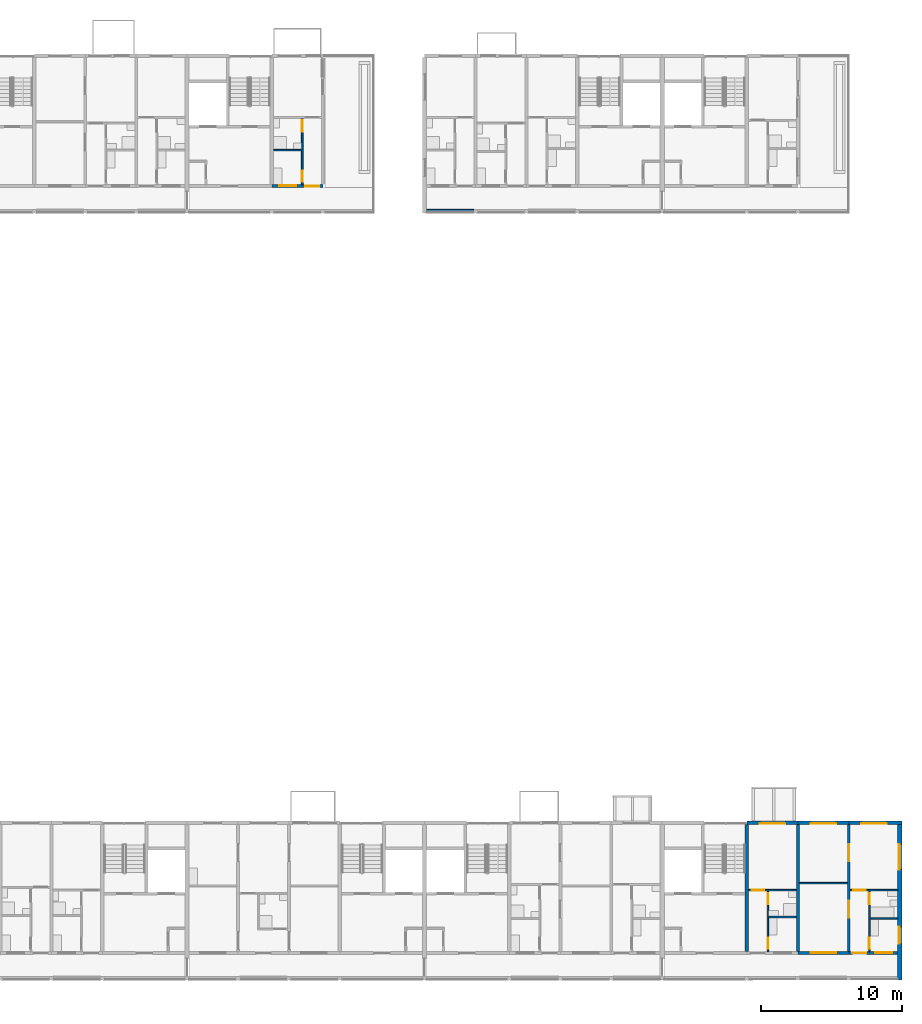
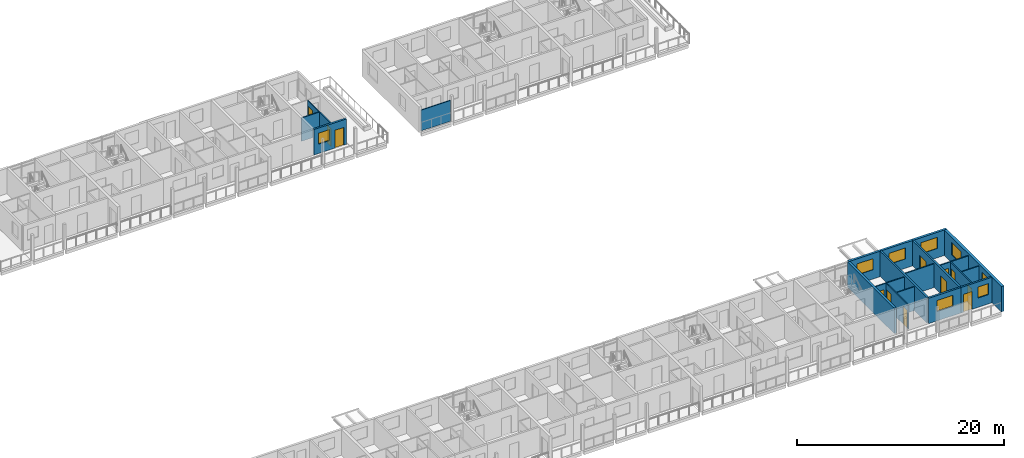
# One storey, part 55 of 94: 20 walls, 12 doors, 8 windows, 20 openings.
"""IFC4 building model written with IfcOpenShell, lengths in metres."""

from ifc_helpers import new_model, si_unit, direction, frame, frame_2d, origin, place, context, subcontext, project, spatial, rectangle, extrude, material, layer, layer_set, type_object, element, fill, save


model = new_model("IFC4")

# Units and contexts
model_context = context("Model", 3, precision=1e-05, world=origin(), true_north=direction((0.0, 1.0)))
body_context = subcontext(model_context, "Body", "Model", "MODEL_VIEW")
ifc_project = project(units=[si_unit("LENGTHUNIT", "METRE"), si_unit("AREAUNIT", "SQUARE_METRE"), si_unit("VOLUMEUNIT", "CUBIC_METRE"), si_unit("PLANEANGLEUNIT", "RADIAN"), si_unit("MASSUNIT", "GRAM", prefix="KILO")], contexts=[model_context])

# Site, building, storey
site_placement = place(None, origin())
site = spatial("IfcSite", under=ifc_project, at=site_placement, CompositionType="ELEMENT")
building_placement = place(site_placement, origin())
building = spatial("IfcBuilding", under=site, at=building_placement, Name="Ridgestep Commons", CompositionType="ELEMENT")
storey_placement = place(building_placement, frame((0.0, 0.0, 24.0)))
storey = spatial("IfcBuildingStorey", under=building, at=storey_placement, Name="L08", CompositionType="ELEMENT", Elevation=24.0)

# Walls
ifc_material_1 = material(Name="Concrete C30/37", Category="concrete")
ifc_layer_1 = layer(ifc_material_1, 0.25)
ifc_layer_set_1 = layer_set([ifc_layer_1], Name="Core cross wall 250")
wall_type_1 = type_object("IfcWallType", Name="Core cross wall 250", PredefinedType="SHEAR", material=ifc_layer_set_1)
wall_1_placement = place(storey_placement, frame((236.800048828125, 13.75, 0.0), z_axis=(0.0, 0.0, 1.0), x_axis=(0.0, 1.0, 0.0)))
element("IfcWall", 1, at=wall_1_placement, inside=storey, type_object=wall_type_1, Name="Cross wall D-08-2368", PredefinedType="SHEAR", context=body_context, shape_type="SweptSolid", body=[
    extrude(rectangle(XDim=9.0, YDim=0.25, at=frame_2d((4.5, 0.0))), origin(), (0.0, 0.0, 1.0), 3.0),
])
ifc_material_2 = material(Name="Precast concrete C40/50", Category="concrete")
ifc_layer_2 = layer(ifc_material_2, 0.199951171875)
ifc_layer_set_2 = layer_set([ifc_layer_2], Name="Cross wall 200")
wall_type_2 = type_object("IfcWallType", Name="Cross wall 200", PredefinedType="SHEAR", material=ifc_layer_set_2)
wall_2_placement = place(storey_placement, frame((240.39990234375, 13.75, 0.0), z_axis=(0.0, 0.0, 1.0), x_axis=(0.0, 1.0, 0.0)))
element("IfcWall", 2, at=wall_2_placement, inside=storey, type_object=wall_type_2, Name="Cross wall D-08-2404", PredefinedType="SHEAR", context=body_context, shape_type="SweptSolid", body=[
    extrude(rectangle(XDim=9.0, YDim=0.199951171875, at=frame_2d((4.5, 0.0))), origin(), (0.0, 0.0, 1.0), 3.0),
])

# Wall, openings, doors
wall_3_placement = place(storey_placement, frame((244.0, 13.75, 0.0), z_axis=(0.0, 0.0, 1.0), x_axis=(0.0, 1.0, 0.0)))
wall_3 = element("IfcWall", 3, at=wall_3_placement, inside=storey, type_object=wall_type_2, Name="Cross wall D-08-2440", PredefinedType="SHEAR", context=body_context, shape_type="SweptSolid", body=[
    extrude(rectangle(XDim=9.0, YDim=0.199951171875, at=frame_2d((4.5, 0.0))), origin(), (0.0, 0.0, 1.0), 3.0),
])
opening_1_placement = place(wall_3_placement, frame((2.39990234375, 0.0, 0.0)))
opening_1 = element("IfcOpeningElement", 4, at=opening_1_placement, cuts=wall_3, Name="Opening D6-08a/5", PredefinedType="OPENING", context=body_context, shape_type="SweptSolid", body=[
    extrude(rectangle(XDim=1.199951171875, YDim=2.10009765625, at=frame_2d((0.60009765625, 1.050048828125))), frame((0.0, 0.10986328125, 0.0), z_axis=(0.0, -1.0, 0.0), x_axis=(1.0, 0.0, 0.0)), (0.0, 0.0, 1.0), 0.219970703125),
])
opening_2_placement = place(wall_3_placement, frame((6.39990234375, 0.0, 0.0)))
opening_2 = element("IfcOpeningElement", 5, at=opening_2_placement, cuts=wall_3, Name="Opening D6-08a/6", PredefinedType="OPENING", context=body_context, shape_type="SweptSolid", body=[
    extrude(rectangle(XDim=1.199951171875, YDim=2.10009765625, at=frame_2d((0.60009765625, 1.050048828125))), frame((0.0, 0.10986328125, 0.0), z_axis=(0.0, -1.0, 0.0), x_axis=(1.0, 0.0, 0.0)), (0.0, 0.0, 1.0), 0.219970703125),
])
ifc_material_3 = material(Name="Timber door leaf", Category="wood")
door_type_1 = type_object("IfcDoorType", Name="Double door 1200 x 2100", OperationType="DOUBLE_DOOR_SINGLE_SWING", PredefinedType="DOOR", material=ifc_material_3)
door_1_placement = place(opening_1_placement, origin())
door_1 = element("IfcDoor", 6, at=door_1_placement, inside=storey, type_object=door_type_1, Name="Double door D6-08a/5", OperationType="DOUBLE_DOOR_SINGLE_SWING", OverallHeight=2.10009765625, OverallWidth=1.199951171875, PredefinedType="DOOR", context=body_context, shape_type="SweptSolid", body=[
    extrude(rectangle(XDim=1.199951171875, YDim=2.10009765625, at=frame_2d((0.60009765625, 1.050048828125))), frame((0.0, 0.02490234375, 0.0), z_axis=(0.0, -1.0, 0.0), x_axis=(1.0, 0.0, 0.0)), (0.0, 0.0, 1.0), 0.050048828125),
])
fill(opening_1, door_1)
door_2_placement = place(opening_2_placement, origin())
door_2 = element("IfcDoor", 7, at=door_2_placement, inside=storey, type_object=door_type_1, Name="Double door D6-08a/6", OperationType="DOUBLE_DOOR_SINGLE_SWING", OverallHeight=2.10009765625, OverallWidth=1.199951171875, PredefinedType="DOOR", context=body_context, shape_type="SweptSolid", body=[
    extrude(rectangle(XDim=1.199951171875, YDim=2.10009765625, at=frame_2d((0.60009765625, 1.050048828125))), frame((0.0, 0.02490234375, 0.0), z_axis=(0.0, -1.0, 0.0), x_axis=(1.0, 0.0, 0.0)), (0.0, 0.0, 1.0), 0.050048828125),
])
fill(opening_2, door_2)

# Wall, openings, windows
ifc_material_4 = material(Name="Precast concrete C40/50", Category="concrete")
ifc_layer_3 = layer(ifc_material_4, 0.300048828125)
ifc_layer_set_3 = layer_set([ifc_layer_3], Name="Exposed division wall 300")
wall_type_3 = type_object("IfcWallType", Name="Exposed division wall 300", PredefinedType="SHEAR", material=ifc_layer_set_3)
wall_4_placement = place(storey_placement, frame((247.60009765625, 11.75, 0.0), z_axis=(0.0, 0.0, 1.0), x_axis=(0.0, 1.0, 0.0)))
wall_4 = element("IfcWall", 8, at=wall_4_placement, inside=storey, type_object=wall_type_3, Name="Cross wall D-08-2476", PredefinedType="SHEAR", context=body_context, shape_type="SweptSolid", body=[
    extrude(rectangle(XDim=11.0, YDim=0.300048828125, at=frame_2d((5.5, 0.0))), origin(), (0.0, 0.0, 1.0), 3.0),
])
opening_3_placement = place(wall_4_placement, frame((2.550048828125, 0.0, 0.89990234375)))
opening_3 = element("IfcOpeningElement", 9, at=opening_3_placement, cuts=wall_4, Name="Opening W10", PredefinedType="OPENING", context=body_context, shape_type="SweptSolid", body=[
    extrude(rectangle(XDim=1.199951171875, YDim=1.5, at=frame_2d((0.60009765625, 0.75))), frame((0.0, 0.159912109375, 0.0), z_axis=(0.0, -1.0, 0.0), x_axis=(1.0, 0.0, 0.0)), (0.0, 0.0, 1.0), 0.320068359375),
])
opening_4_placement = place(wall_4_placement, frame((7.804931640625, 0.0, 0.89990234375)))
opening_4 = element("IfcOpeningElement", 10, at=opening_4_placement, cuts=wall_4, Name="Opening W20", PredefinedType="OPENING", context=body_context, shape_type="SweptSolid", body=[
    extrude(rectangle(XDim=1.800048828125, YDim=1.5, at=frame_2d((0.89990234375, 0.75))), frame((0.0, 0.159912109375, 0.0), z_axis=(0.0, -1.0, 0.0), x_axis=(1.0, 0.0, 0.0)), (0.0, 0.0, 1.0), 0.320068359375),
])
ifc_material_5 = material(Name="Aluminium 6063-T6 and glass", Category="aluminium")
window_type_1 = type_object("IfcWindowType", Name="Flat window 1200 x 1500", PartitioningType="SINGLE_PANEL", PredefinedType="WINDOW", material=ifc_material_5)
window_1_placement = place(opening_3_placement, origin())
window_1 = element("IfcWindow", 11, at=window_1_placement, inside=storey, type_object=window_type_1, Name="Window D6-08a 5", OverallHeight=1.5, OverallWidth=1.199951171875, PartitioningType="SINGLE_PANEL", PredefinedType="WINDOW", context=body_context, shape_type="SweptSolid", body=[
    extrude(rectangle(XDim=1.199951171875, YDim=1.5, at=frame_2d((0.60009765625, 0.75))), frame((0.0, 0.06005859375, 0.0), z_axis=(0.0, -1.0, 0.0), x_axis=(1.0, 0.0, 0.0)), (0.0, 0.0, 1.0), 0.06005859375),
])
fill(opening_3, window_1)
ifc_material_6 = material(Name="Aluminium 6063-T6 and glass", Category="aluminium")
window_type_2 = type_object("IfcWindowType", Name="Flat window 1800 x 1500", PartitioningType="DOUBLE_PANEL_VERTICAL", PredefinedType="WINDOW", material=ifc_material_6)
window_2_placement = place(opening_4_placement, origin())
window_2 = element("IfcWindow", 12, at=window_2_placement, inside=storey, type_object=window_type_2, Name="Window D6-08a 6", OverallHeight=1.5, OverallWidth=1.800048828125, PartitioningType="SINGLE_PANEL", PredefinedType="WINDOW", context=body_context, shape_type="SweptSolid", body=[
    extrude(rectangle(XDim=1.800048828125, YDim=1.5, at=frame_2d((0.89990234375, 0.75))), frame((0.0, 0.06005859375, 0.0), z_axis=(0.0, -1.0, 0.0), x_axis=(1.0, 0.0, 0.0)), (0.0, 0.0, 1.0), 0.06005859375),
])
fill(opening_4, window_2)

# Wall, opening, window
ifc_material_7 = material(Name="Precast concrete C40/50", Category="concrete")
ifc_layer_4 = layer(ifc_material_7, 0.25)
ifc_layer_set_4 = layer_set([ifc_layer_4], Name="North facade panel 250")
wall_type_4 = type_object("IfcWallType", Name="North facade panel 250", PredefinedType="SOLIDWALL", material=ifc_layer_set_4)
wall_5_placement = place(storey_placement, frame((236.800048828125, 22.875, 0.0), z_axis=(0.0, 0.0, 1.0), x_axis=(1.0, 0.0, 0.0)))
wall_5 = element("IfcWall", 13, at=wall_5_placement, inside=storey, type_object=wall_type_4, Name="North panel D6T3 L08", PredefinedType="SOLIDWALL", context=body_context, shape_type="SweptSolid", body=[
    extrude(rectangle(XDim=3.599853515625, YDim=0.25, at=frame_2d((1.7998046875, 0.0))), origin(), (0.0, 0.0, 1.0), 3.0),
])
opening_5_placement = place(wall_5_placement, frame((0.91259765625, 0.0, 1.10009765625)))
opening_5 = element("IfcOpeningElement", 14, at=opening_5_placement, cuts=wall_5, Name="Opening W18", PredefinedType="OPENING", context=body_context, shape_type="SweptSolid", body=[
    extrude(rectangle(XDim=1.800048828125, YDim=1.300048828125, at=frame_2d((0.89990234375, 0.64990234375))), frame((0.0, 0.135009765625, 0.0), z_axis=(0.0, -1.0, 0.0), x_axis=(1.0, 0.0, 0.0)), (0.0, 0.0, 1.0), 0.27001953125),
])
ifc_material_8 = material(Name="Aluminium 6063-T6 and glass", Category="aluminium")
window_type_3 = type_object("IfcWindowType", Name="Flat window 1800 x 1300", PartitioningType="DOUBLE_PANEL_VERTICAL", PredefinedType="WINDOW", material=ifc_material_8)
window_3_placement = place(opening_5_placement, origin())
window_3 = element("IfcWindow", 15, at=window_3_placement, inside=storey, type_object=window_type_3, Name="Window D6-08b 2", OverallHeight=1.300048828125, OverallWidth=1.800048828125, PartitioningType="SINGLE_PANEL", PredefinedType="WINDOW", context=body_context, shape_type="SweptSolid", body=[
    extrude(rectangle(XDim=1.800048828125, YDim=1.300048828125, at=frame_2d((0.89990234375, 0.64990234375))), frame((0.0, -0.02490234375, 0.0), z_axis=(0.0, -1.0, 0.0), x_axis=(1.0, 0.0, 0.0)), (0.0, 0.0, 1.0), 0.06005859375),
])
fill(opening_5, window_3)

wall_6_placement = place(storey_placement, frame((240.39990234375, 22.875, 0.0), z_axis=(0.0, 0.0, 1.0), x_axis=(1.0, 0.0, 0.0)))
wall_6 = element("IfcWall", 16, at=wall_6_placement, inside=storey, type_object=wall_type_4, Name="North panel D6T2 L08", PredefinedType="SOLIDWALL", context=body_context, shape_type="SweptSolid", body=[
    extrude(rectangle(XDim=3.60009765625, YDim=0.25, at=frame_2d((1.800048828125, 0.0))), origin(), (0.0, 0.0, 1.0), 3.0),
])
opening_6_placement = place(wall_6_placement, frame((0.89990234375, 0.0, 1.10009765625)))
opening_6 = element("IfcOpeningElement", 17, at=opening_6_placement, cuts=wall_6, Name="Opening W18", PredefinedType="OPENING", context=body_context, shape_type="SweptSolid", body=[
    extrude(rectangle(XDim=1.800048828125, YDim=1.300048828125, at=frame_2d((0.89990234375, 0.64990234375))), frame((0.0, 0.135009765625, 0.0), z_axis=(0.0, -1.0, 0.0), x_axis=(1.0, 0.0, 0.0)), (0.0, 0.0, 1.0), 0.27001953125),
])
window_4_placement = place(opening_6_placement, origin())
window_4 = element("IfcWindow", 18, at=window_4_placement, inside=storey, type_object=window_type_3, Name="Window D6-08a 2", OverallHeight=1.300048828125, OverallWidth=1.800048828125, PartitioningType="SINGLE_PANEL", PredefinedType="WINDOW", context=body_context, shape_type="SweptSolid", body=[
    extrude(rectangle(XDim=1.800048828125, YDim=1.300048828125, at=frame_2d((0.89990234375, 0.64990234375))), frame((0.0, -0.02490234375, 0.0), z_axis=(0.0, -1.0, 0.0), x_axis=(1.0, 0.0, 0.0)), (0.0, 0.0, 1.0), 0.06005859375),
])
fill(opening_6, window_4)

wall_7_placement = place(storey_placement, frame((244.0, 22.875, 0.0), z_axis=(0.0, 0.0, 1.0), x_axis=(1.0, 0.0, 0.0)))
wall_7 = element("IfcWall", 19, at=wall_7_placement, inside=storey, type_object=wall_type_4, Name="North panel D6T1 L08", PredefinedType="SOLIDWALL", context=body_context, shape_type="SweptSolid", body=[
    extrude(rectangle(XDim=3.75, YDim=0.25, at=frame_2d((1.875, 0.0))), origin(), (0.0, 0.0, 1.0), 3.0),
])
opening_7_placement = place(wall_7_placement, frame((0.875, 0.0, 1.10009765625)))
opening_7 = element("IfcOpeningElement", 20, at=opening_7_placement, cuts=wall_7, Name="Opening W18", PredefinedType="OPENING", context=body_context, shape_type="SweptSolid", body=[
    extrude(rectangle(XDim=1.800048828125, YDim=1.300048828125, at=frame_2d((0.89990234375, 0.64990234375))), frame((0.0, 0.135009765625, 0.0), z_axis=(0.0, -1.0, 0.0), x_axis=(1.0, 0.0, 0.0)), (0.0, 0.0, 1.0), 0.27001953125),
])
window_5_placement = place(opening_7_placement, origin())
window_5 = element("IfcWindow", 21, at=window_5_placement, inside=storey, type_object=window_type_3, Name="Window D6-08a 4", OverallHeight=1.300048828125, OverallWidth=1.800048828125, PartitioningType="SINGLE_PANEL", PredefinedType="WINDOW", context=body_context, shape_type="SweptSolid", body=[
    extrude(rectangle(XDim=1.800048828125, YDim=1.300048828125, at=frame_2d((0.89990234375, 0.64990234375))), frame((0.0, -0.02490234375, 0.0), z_axis=(0.0, -1.0, 0.0), x_axis=(1.0, 0.0, 0.0)), (0.0, 0.0, 1.0), 0.06005859375),
])
fill(opening_7, window_5)

# Wall
ifc_material_9 = material(Name="Common brick 110 mm", Category="masonry")
ifc_layer_5 = layer(ifc_material_9, 0.110107421875)
ifc_layer_set_5 = layer_set([ifc_layer_5], Name="Partition 110")
wall_type_5 = type_object("IfcWallType", Name="Partition 110", PredefinedType="PARTITIONING", material=ifc_layer_set_5)
wall_8_placement = place(storey_placement, frame((203.324951171875, 70.455078125, 0.0), z_axis=(0.0, 0.0, 1.0), x_axis=(1.0, 0.0, 0.0)))
element("IfcWall", 22, at=wall_8_placement, inside=storey, type_object=wall_type_5, Name="Partition C4-08a", PredefinedType="PARTITIONING", context=body_context, shape_type="SweptSolid", body=[
    extrude(rectangle(XDim=1.965087890625, YDim=0.110107421875, at=frame_2d((0.982421875, 0.0))), origin(), (0.0, 0.0, 1.0), 2.75),
])

# Wall, openings, doors
wall_9_placement = place(storey_placement, frame((205.344970703125, 68.0, 0.0), z_axis=(0.0, 0.0, 1.0), x_axis=(0.0, 1.0, 0.0)))
wall_9 = element("IfcWall", 23, at=wall_9_placement, inside=storey, type_object=wall_type_5, Name="Partition C4-08a", PredefinedType="PARTITIONING", context=body_context, shape_type="SweptSolid", body=[
    extrude(rectangle(XDim=4.699951171875, YDim=0.110107421875, at=frame_2d((2.35009765625, 0.0))), origin(), (0.0, 0.0, 1.0), 2.75),
])
opening_8_placement = place(wall_9_placement, frame((0.199951171875, 0.0, 0.0)))
opening_8 = element("IfcOpeningElement", 24, at=opening_8_placement, cuts=wall_9, Name="Opening C4-08a/2", PredefinedType="OPENING", context=body_context, shape_type="SweptSolid", body=[
    extrude(rectangle(XDim=0.800048828125, YDim=2.10009765625, at=frame_2d((0.39990234375, 1.050048828125))), frame((0.0, 0.06494140625, 0.0), z_axis=(0.0, -1.0, 0.0), x_axis=(1.0, 0.0, 0.0)), (0.0, 0.0, 1.0), 0.130126953125),
])
opening_9_placement = place(wall_9_placement, frame((3.75, 0.0, 0.0)))
opening_9 = element("IfcOpeningElement", 25, at=opening_9_placement, cuts=wall_9, Name="Opening C4-08a/3", PredefinedType="OPENING", context=body_context, shape_type="SweptSolid", body=[
    extrude(rectangle(XDim=0.800048828125, YDim=2.10009765625, at=frame_2d((0.39990234375, 1.050048828125))), frame((0.0, 0.06494140625, 0.0), z_axis=(0.0, -1.0, 0.0), x_axis=(1.0, 0.0, 0.0)), (0.0, 0.0, 1.0), 0.130126953125),
])
ifc_material_10 = material(Name="Timber door leaf", Category="wood")
door_type_2 = type_object("IfcDoorType", Name="Internal door 800 x 2100", OperationType="NOTDEFINED", PredefinedType="DOOR", material=ifc_material_10)
door_3_placement = place(opening_8_placement, origin())
door_3 = element("IfcDoor", 26, at=door_3_placement, inside=storey, type_object=door_type_2, Name="Internal door C4-08a/2", OperationType="SINGLE_SWING_LEFT", OverallHeight=2.10009765625, OverallWidth=0.800048828125, PredefinedType="DOOR", context=body_context, shape_type="SweptSolid", body=[
    extrude(rectangle(XDim=0.800048828125, YDim=2.10009765625, at=frame_2d((0.39990234375, 1.050048828125))), frame((0.0, 0.02490234375, 0.0), z_axis=(0.0, -1.0, 0.0), x_axis=(1.0, 0.0, 0.0)), (0.0, 0.0, 1.0), 0.050048828125),
])
fill(opening_8, door_3)
door_4_placement = place(opening_9_placement, origin())
door_4 = element("IfcDoor", 27, at=door_4_placement, inside=storey, type_object=door_type_2, Name="Internal door C4-08a/3", OperationType="SINGLE_SWING_RIGHT", OverallHeight=2.10009765625, OverallWidth=0.800048828125, PredefinedType="DOOR", context=body_context, shape_type="SweptSolid", body=[
    extrude(rectangle(XDim=0.800048828125, YDim=2.10009765625, at=frame_2d((0.39990234375, 1.050048828125))), frame((0.0, 0.02490234375, 0.0), z_axis=(0.0, -1.0, 0.0), x_axis=(1.0, 0.0, 0.0)), (0.0, 0.0, 1.0), 0.050048828125),
])
fill(opening_9, door_4)

wall_10_placement = place(storey_placement, frame((245.455078125, 13.75, 0.0), z_axis=(0.0, 0.0, 1.0), x_axis=(0.0, 1.0, 0.0)))
wall_10 = element("IfcWall", 28, at=wall_10_placement, inside=storey, type_object=wall_type_5, Name="Partition D6-08a", PredefinedType="PARTITIONING", context=body_context, shape_type="SweptSolid", body=[
    extrude(rectangle(XDim=4.300048828125, YDim=0.110107421875, at=frame_2d((2.14990234375, 0.0))), origin(), (0.0, 0.0, 1.0), 2.800048828125),
])
opening_10_placement = place(wall_10_placement, frame((0.199951171875, 0.0, 0.0)))
opening_10 = element("IfcOpeningElement", 29, at=opening_10_placement, cuts=wall_10, Name="Opening D6-08a/2", PredefinedType="OPENING", context=body_context, shape_type="SweptSolid", body=[
    extrude(rectangle(XDim=0.800048828125, YDim=2.10009765625, at=frame_2d((0.39990234375, 1.050048828125))), frame((0.0, 0.06494140625, 0.0), z_axis=(0.0, -1.0, 0.0), x_axis=(1.0, 0.0, 0.0)), (0.0, 0.0, 1.0), 0.130126953125),
])
opening_11_placement = place(wall_10_placement, frame((3.35009765625, 0.0, 0.0)))
opening_11 = element("IfcOpeningElement", 30, at=opening_11_placement, cuts=wall_10, Name="Opening D6-08a/3", PredefinedType="OPENING", context=body_context, shape_type="SweptSolid", body=[
    extrude(rectangle(XDim=0.800048828125, YDim=2.10009765625, at=frame_2d((0.39990234375, 1.050048828125))), frame((0.0, 0.06494140625, 0.0), z_axis=(0.0, -1.0, 0.0), x_axis=(1.0, 0.0, 0.0)), (0.0, 0.0, 1.0), 0.130126953125),
])
door_5_placement = place(opening_10_placement, origin())
door_5 = element("IfcDoor", 31, at=door_5_placement, inside=storey, type_object=door_type_2, Name="Internal door D6-08a/2", OperationType="SINGLE_SWING_RIGHT", OverallHeight=2.10009765625, OverallWidth=0.800048828125, PredefinedType="DOOR", context=body_context, shape_type="SweptSolid", body=[
    extrude(rectangle(XDim=0.800048828125, YDim=2.10009765625, at=frame_2d((0.39990234375, 1.050048828125))), frame((0.0, 0.02490234375, 0.0), z_axis=(0.0, -1.0, 0.0), x_axis=(1.0, 0.0, 0.0)), (0.0, 0.0, 1.0), 0.050048828125),
])
fill(opening_10, door_5)
door_6_placement = place(opening_11_placement, origin())
door_6 = element("IfcDoor", 32, at=door_6_placement, inside=storey, type_object=door_type_2, Name="Internal door D6-08a/3", OperationType="SINGLE_SWING_LEFT", OverallHeight=2.10009765625, OverallWidth=0.800048828125, PredefinedType="DOOR", context=body_context, shape_type="SweptSolid", body=[
    extrude(rectangle(XDim=0.800048828125, YDim=2.10009765625, at=frame_2d((0.39990234375, 1.050048828125))), frame((0.0, 0.02490234375, 0.0), z_axis=(0.0, -1.0, 0.0), x_axis=(1.0, 0.0, 0.0)), (0.0, 0.0, 1.0), 0.050048828125),
])
fill(opening_11, door_6)

# Wall
wall_11_placement = place(storey_placement, frame((245.510009765625, 16.10498046875, 0.0), z_axis=(0.0, 0.0, 1.0), x_axis=(1.0, 0.0, 0.0)))
element("IfcWall", 33, at=wall_11_placement, inside=storey, type_object=wall_type_5, Name="Partition D6-08a", PredefinedType="PARTITIONING", context=body_context, shape_type="SweptSolid", body=[
    extrude(rectangle(XDim=1.93994140625, YDim=0.110107421875, at=frame_2d((0.969970703125, 0.0))), origin(), (0.0, 0.0, 1.0), 2.800048828125),
])

# Wall, opening, door
wall_12_placement = place(storey_placement, frame((244.10009765625, 18.10498046875, 0.0), z_axis=(0.0, 0.0, 1.0), x_axis=(1.0, 0.0, 0.0)))
wall_12 = element("IfcWall", 34, at=wall_12_placement, inside=storey, type_object=wall_type_5, Name="Partition D6-08a", PredefinedType="PARTITIONING", context=body_context, shape_type="SweptSolid", body=[
    extrude(rectangle(XDim=3.349853515625, YDim=0.110107421875, at=frame_2d((1.6748046875, 0.0))), origin(), (0.0, 0.0, 1.0), 2.800048828125),
])
opening_12_placement = place(wall_12_placement, frame((0.199951171875, 0.0, 0.0)))
opening_12 = element("IfcOpeningElement", 35, at=opening_12_placement, cuts=wall_12, Name="Opening D6-08a/4", PredefinedType="OPENING", context=body_context, shape_type="SweptSolid", body=[
    extrude(rectangle(XDim=0.89990234375, YDim=2.10009765625, at=frame_2d((0.449951171875, 1.050048828125))), frame((0.0, 0.06494140625, 0.0), z_axis=(0.0, -1.0, 0.0), x_axis=(1.0, 0.0, 0.0)), (0.0, 0.0, 1.0), 0.130126953125),
])
ifc_material_11 = material(Name="Timber door leaf", Category="wood")
door_type_3 = type_object("IfcDoorType", Name="Internal door 900 x 2100", OperationType="NOTDEFINED", PredefinedType="DOOR", material=ifc_material_11)
door_7_placement = place(opening_12_placement, origin())
door_7 = element("IfcDoor", 36, at=door_7_placement, inside=storey, type_object=door_type_3, Name="Internal door D6-08a/4", OperationType="SINGLE_SWING_LEFT", OverallHeight=2.10009765625, OverallWidth=0.89990234375, PredefinedType="DOOR", context=body_context, shape_type="SweptSolid", body=[
    extrude(rectangle(XDim=0.89990234375, YDim=2.10009765625, at=frame_2d((0.449951171875, 1.050048828125))), frame((0.0, 0.02490234375, 0.0), z_axis=(0.0, -1.0, 0.0), x_axis=(1.0, 0.0, 0.0)), (0.0, 0.0, 1.0), 0.050048828125),
])
fill(opening_12, door_7)

# Wall
wall_13_placement = place(storey_placement, frame((240.5, 18.60498046875, 0.0), z_axis=(0.0, 0.0, 1.0), x_axis=(1.0, 0.0, 0.0)))
element("IfcWall", 37, at=wall_13_placement, inside=storey, type_object=wall_type_5, Name="Partition D6-08a", PredefinedType="PARTITIONING", context=body_context, shape_type="SweptSolid", body=[
    extrude(rectangle(XDim=3.39990234375, YDim=0.110107421875, at=frame_2d((1.699951171875, 0.0))), origin(), (0.0, 0.0, 1.0), 2.800048828125),
])

# Wall, openings, doors
wall_14_placement = place(storey_placement, frame((238.280029296875, 13.75, 0.0), z_axis=(0.0, 0.0, 1.0), x_axis=(0.0, 1.0, 0.0)))
wall_14 = element("IfcWall", 38, at=wall_14_placement, inside=storey, type_object=wall_type_5, Name="Partition D6-08b", PredefinedType="PARTITIONING", context=body_context, shape_type="SweptSolid", body=[
    extrude(rectangle(XDim=4.300048828125, YDim=0.110107421875, at=frame_2d((2.14990234375, 0.0))), origin(), (0.0, 0.0, 1.0), 2.800048828125),
])
opening_13_placement = place(wall_14_placement, frame((0.199951171875, 0.0, 0.0)))
opening_13 = element("IfcOpeningElement", 39, at=opening_13_placement, cuts=wall_14, Name="Opening D6-08b/2", PredefinedType="OPENING", context=body_context, shape_type="SweptSolid", body=[
    extrude(rectangle(XDim=0.800048828125, YDim=2.10009765625, at=frame_2d((0.39990234375, 1.050048828125))), frame((0.0, 0.06494140625, 0.0), z_axis=(0.0, -1.0, 0.0), x_axis=(1.0, 0.0, 0.0)), (0.0, 0.0, 1.0), 0.130126953125),
])
opening_14_placement = place(wall_14_placement, frame((3.35009765625, 0.0, 0.0)))
opening_14 = element("IfcOpeningElement", 40, at=opening_14_placement, cuts=wall_14, Name="Opening D6-08b/3", PredefinedType="OPENING", context=body_context, shape_type="SweptSolid", body=[
    extrude(rectangle(XDim=0.800048828125, YDim=2.10009765625, at=frame_2d((0.39990234375, 1.050048828125))), frame((0.0, 0.06494140625, 0.0), z_axis=(0.0, -1.0, 0.0), x_axis=(1.0, 0.0, 0.0)), (0.0, 0.0, 1.0), 0.130126953125),
])
door_8_placement = place(opening_13_placement, origin())
door_8 = element("IfcDoor", 41, at=door_8_placement, inside=storey, type_object=door_type_2, Name="Internal door D6-08b/2", OperationType="SINGLE_SWING_RIGHT", OverallHeight=2.10009765625, OverallWidth=0.800048828125, PredefinedType="DOOR", context=body_context, shape_type="SweptSolid", body=[
    extrude(rectangle(XDim=0.800048828125, YDim=2.10009765625, at=frame_2d((0.39990234375, 1.050048828125))), frame((0.0, 0.02490234375, 0.0), z_axis=(0.0, -1.0, 0.0), x_axis=(1.0, 0.0, 0.0)), (0.0, 0.0, 1.0), 0.050048828125),
])
fill(opening_13, door_8)
door_9_placement = place(opening_14_placement, origin())
door_9 = element("IfcDoor", 42, at=door_9_placement, inside=storey, type_object=door_type_2, Name="Internal door D6-08b/3", OperationType="SINGLE_SWING_LEFT", OverallHeight=2.10009765625, OverallWidth=0.800048828125, PredefinedType="DOOR", context=body_context, shape_type="SweptSolid", body=[
    extrude(rectangle(XDim=0.800048828125, YDim=2.10009765625, at=frame_2d((0.39990234375, 1.050048828125))), frame((0.0, 0.02490234375, 0.0), z_axis=(0.0, -1.0, 0.0), x_axis=(1.0, 0.0, 0.0)), (0.0, 0.0, 1.0), 0.050048828125),
])
fill(opening_14, door_9)

# Wall
wall_15_placement = place(storey_placement, frame((238.3349609375, 16.205078125, 0.0), z_axis=(0.0, 0.0, 1.0), x_axis=(1.0, 0.0, 0.0)))
element("IfcWall", 43, at=wall_15_placement, inside=storey, type_object=wall_type_5, Name="Partition D6-08b", PredefinedType="PARTITIONING", context=body_context, shape_type="SweptSolid", body=[
    extrude(rectangle(XDim=1.965087890625, YDim=0.110107421875, at=frame_2d((0.982421875, 0.0))), origin(), (0.0, 0.0, 1.0), 2.800048828125),
])

# Wall, opening, door
wall_16_placement = place(storey_placement, frame((236.925048828125, 18.10498046875, 0.0), z_axis=(0.0, 0.0, 1.0), x_axis=(1.0, 0.0, 0.0)))
wall_16 = element("IfcWall", 44, at=wall_16_placement, inside=storey, type_object=wall_type_5, Name="Partition D6-08b", PredefinedType="PARTITIONING", context=body_context, shape_type="SweptSolid", body=[
    extrude(rectangle(XDim=3.375, YDim=0.110107421875, at=frame_2d((1.6875, 0.0))), origin(), (0.0, 0.0, 1.0), 2.800048828125),
])
opening_15_placement = place(wall_16_placement, frame((0.199951171875, 0.0, 0.0)))
opening_15 = element("IfcOpeningElement", 45, at=opening_15_placement, cuts=wall_16, Name="Opening D6-08b/4", PredefinedType="OPENING", context=body_context, shape_type="SweptSolid", body=[
    extrude(rectangle(XDim=0.89990234375, YDim=2.10009765625, at=frame_2d((0.449951171875, 1.050048828125))), frame((0.0, 0.06494140625, 0.0), z_axis=(0.0, -1.0, 0.0), x_axis=(1.0, 0.0, 0.0)), (0.0, 0.0, 1.0), 0.130126953125),
])
door_10_placement = place(opening_15_placement, origin())
door_10 = element("IfcDoor", 46, at=door_10_placement, inside=storey, type_object=door_type_3, Name="Internal door D6-08b/4", OperationType="SINGLE_SWING_LEFT", OverallHeight=2.10009765625, OverallWidth=0.89990234375, PredefinedType="DOOR", context=body_context, shape_type="SweptSolid", body=[
    extrude(rectangle(XDim=0.89990234375, YDim=2.10009765625, at=frame_2d((0.449951171875, 1.050048828125))), frame((0.0, 0.02490234375, 0.0), z_axis=(0.0, -1.0, 0.0), x_axis=(1.0, 0.0, 0.0)), (0.0, 0.0, 1.0), 0.050048828125),
])
fill(opening_15, door_10)

# Wall
ifc_material_12 = material(Name="Precast concrete C30/37", Category="concrete")
ifc_layer_6 = layer(ifc_material_12, 0.10009765625)
ifc_layer_set_6 = layer_set([ifc_layer_6], Name="Perforated gallery screen 3325 x 2450 x 100")
wall_type_6 = type_object("IfcWallType", Name="Perforated gallery screen 3325 x 2450 x 100", PredefinedType="SOLIDWALL", material=ifc_layer_set_6)
wall_17_placement = place(storey_placement, frame((214.14990234375, 66.199951171875, 0.0), z_axis=(0.0, 0.0, 1.0), x_axis=(1.0, 0.0, 0.0)))
element("IfcWall", 47, at=wall_17_placement, inside=storey, type_object=wall_type_6, Name="Gallery screen C5T1 08", PredefinedType="SOLIDWALL", context=body_context, shape_type="SweptSolid", body=[
    extrude(rectangle(XDim=3.3251953125, YDim=0.10009765625, at=frame_2d((1.66259765625, 0.0))), origin(), (0.0, 0.0, 1.0), 2.449951171875),
])

# Wall, openings, door, window
ifc_material_13 = material(Name="Precast concrete C40/50", Category="concrete")
ifc_layer_7 = layer(ifc_material_13, 0.199951171875)
ifc_layer_set_7 = layer_set([ifc_layer_7], Name="South facade panel 200")
wall_type_7 = type_object("IfcWallType", Name="South facade panel 200", PredefinedType="SOLIDWALL", material=ifc_layer_set_7)
wall_18_placement = place(storey_placement, frame((203.199951171875, 67.89990234375, 0.0), z_axis=(0.0, 0.0, 1.0), x_axis=(1.0, 0.0, 0.0)))
wall_18 = element("IfcWall", 48, at=wall_18_placement, inside=storey, type_object=wall_type_7, Name="South panel C4T3 L08", PredefinedType="SOLIDWALL", context=body_context, shape_type="SweptSolid", body=[
    extrude(rectangle(XDim=3.60009765625, YDim=0.199951171875, at=frame_2d((1.800048828125, 0.0))), origin(), (0.0, 0.0, 1.0), 3.0),
])
opening_16_placement = place(wall_18_placement, frame((0.507568359375, 0.0, 1.10009765625)))
opening_16 = element("IfcOpeningElement", 49, at=opening_16_placement, cuts=wall_18, Name="Opening W08", PredefinedType="OPENING", context=body_context, shape_type="SweptSolid", body=[
    extrude(rectangle(XDim=1.199951171875, YDim=1.300048828125, at=frame_2d((0.60009765625, 0.64990234375))), frame((0.0, 0.10986328125, 0.0), z_axis=(0.0, -1.0, 0.0), x_axis=(1.0, 0.0, 0.0)), (0.0, 0.0, 1.0), 0.219970703125),
])
opening_17_placement = place(wall_18_placement, frame((2.35009765625, 0.0, 0.0)))
opening_17 = element("IfcOpeningElement", 50, at=opening_17_placement, cuts=wall_18, Name="Opening C4-08a/1", PredefinedType="OPENING", context=body_context, shape_type="SweptSolid", body=[
    extrude(rectangle(XDim=1.0, YDim=2.10009765625, at=frame_2d((0.5, 1.050048828125))), frame((0.0, 0.10986328125, 0.0), z_axis=(0.0, -1.0, 0.0), x_axis=(1.0, 0.0, 0.0)), (0.0, 0.0, 1.0), 0.219970703125),
])
ifc_material_14 = material(Name="Timber door leaf", Category="wood")
door_type_4 = type_object("IfcDoorType", Name="Flat entrance door 1000 x 2100 FD30S", OperationType="NOTDEFINED", PredefinedType="DOOR", material=ifc_material_14)
door_11_placement = place(opening_17_placement, origin())
door_11 = element("IfcDoor", 51, at=door_11_placement, inside=storey, type_object=door_type_4, Name="Flat entrance door C4-08a/1", OperationType="SINGLE_SWING_RIGHT", OverallHeight=2.10009765625, OverallWidth=1.0, PredefinedType="DOOR", context=body_context, shape_type="SweptSolid", body=[
    extrude(rectangle(XDim=1.0, YDim=2.10009765625, at=frame_2d((0.5, 1.050048828125))), frame((0.0, 0.02490234375, 0.0), z_axis=(0.0, -1.0, 0.0), x_axis=(1.0, 0.0, 0.0)), (0.0, 0.0, 1.0), 0.050048828125),
])
fill(opening_17, door_11)
ifc_material_15 = material(Name="Aluminium 6063-T6 and glass", Category="aluminium")
window_type_4 = type_object("IfcWindowType", Name="Flat window 1200 x 1300", PartitioningType="SINGLE_PANEL", PredefinedType="WINDOW", material=ifc_material_15)
window_6_placement = place(opening_16_placement, origin())
window_6 = element("IfcWindow", 52, at=window_6_placement, inside=storey, type_object=window_type_4, Name="Window C4-08a 1", OverallHeight=1.300048828125, OverallWidth=1.199951171875, PartitioningType="SINGLE_PANEL", PredefinedType="WINDOW", context=body_context, shape_type="SweptSolid", body=[
    extrude(rectangle(XDim=1.199951171875, YDim=1.300048828125, at=frame_2d((0.60009765625, 0.64990234375))), frame((0.0, 0.06005859375, 0.0), z_axis=(0.0, -1.0, 0.0), x_axis=(1.0, 0.0, 0.0)), (0.0, 0.0, 1.0), 0.06005859375),
])
fill(opening_16, window_6)

# Wall, opening, window
wall_19_placement = place(storey_placement, frame((240.39990234375, 13.64990234375, 0.0), z_axis=(0.0, 0.0, 1.0), x_axis=(1.0, 0.0, 0.0)))
wall_19 = element("IfcWall", 53, at=wall_19_placement, inside=storey, type_object=wall_type_7, Name="South panel D6T2 L08", PredefinedType="SOLIDWALL", context=body_context, shape_type="SweptSolid", body=[
    extrude(rectangle(XDim=3.60009765625, YDim=0.199951171875, at=frame_2d((1.800048828125, 0.0))), origin(), (0.0, 0.0, 1.0), 3.0),
])
opening_18_placement = place(wall_19_placement, frame((0.89990234375, 0.0, 1.10009765625)))
opening_18 = element("IfcOpeningElement", 54, at=opening_18_placement, cuts=wall_19, Name="Opening W18", PredefinedType="OPENING", context=body_context, shape_type="SweptSolid", body=[
    extrude(rectangle(XDim=1.800048828125, YDim=1.300048828125, at=frame_2d((0.89990234375, 0.64990234375))), frame((0.0, 0.10986328125, 0.0), z_axis=(0.0, -1.0, 0.0), x_axis=(1.0, 0.0, 0.0)), (0.0, 0.0, 1.0), 0.219970703125),
])
window_7_placement = place(opening_18_placement, origin())
window_7 = element("IfcWindow", 55, at=window_7_placement, inside=storey, type_object=window_type_3, Name="Window D6-08a 1", OverallHeight=1.300048828125, OverallWidth=1.800048828125, PartitioningType="SINGLE_PANEL", PredefinedType="WINDOW", context=body_context, shape_type="SweptSolid", body=[
    extrude(rectangle(XDim=1.800048828125, YDim=1.300048828125, at=frame_2d((0.89990234375, 0.64990234375))), frame((0.0, 0.06005859375, 0.0), z_axis=(0.0, -1.0, 0.0), x_axis=(1.0, 0.0, 0.0)), (0.0, 0.0, 1.0), 0.06005859375),
])
fill(opening_18, window_7)

# Wall, openings, door, window
wall_20_placement = place(storey_placement, frame((244.0, 13.64990234375, 0.0), z_axis=(0.0, 0.0, 1.0), x_axis=(1.0, 0.0, 0.0)))
wall_20 = element("IfcWall", 56, at=wall_20_placement, inside=storey, type_object=wall_type_7, Name="South panel D6T1 L08", PredefinedType="SOLIDWALL", context=body_context, shape_type="SweptSolid", body=[
    extrude(rectangle(XDim=3.449951171875, YDim=0.199951171875, at=frame_2d((1.72509765625, 0.0))), origin(), (0.0, 0.0, 1.0), 3.0),
])
opening_19_placement = place(wall_20_placement, frame((1.8798828125, 0.0, 1.10009765625)))
opening_19 = element("IfcOpeningElement", 57, at=opening_19_placement, cuts=wall_20, Name="Opening W08", PredefinedType="OPENING", context=body_context, shape_type="SweptSolid", body=[
    extrude(rectangle(XDim=1.199951171875, YDim=1.300048828125, at=frame_2d((0.60009765625, 0.64990234375))), frame((0.0, 0.10986328125, 0.0), z_axis=(0.0, -1.0, 0.0), x_axis=(1.0, 0.0, 0.0)), (0.0, 0.0, 1.0), 0.219970703125),
])
opening_20_placement = place(wall_20_placement, frame((0.25, 0.0, 0.0)))
opening_20 = element("IfcOpeningElement", 58, at=opening_20_placement, cuts=wall_20, Name="Opening D6-08a/1", PredefinedType="OPENING", context=body_context, shape_type="SweptSolid", body=[
    extrude(rectangle(XDim=1.0, YDim=2.10009765625, at=frame_2d((0.5, 1.050048828125))), frame((0.0, 0.10986328125, 0.0), z_axis=(0.0, -1.0, 0.0), x_axis=(1.0, 0.0, 0.0)), (0.0, 0.0, 1.0), 0.219970703125),
])
door_12_placement = place(opening_20_placement, origin())
door_12 = element("IfcDoor", 59, at=door_12_placement, inside=storey, type_object=door_type_4, Name="Flat entrance door D6-08a/1", OperationType="SINGLE_SWING_LEFT", OverallHeight=2.10009765625, OverallWidth=1.0, PredefinedType="DOOR", context=body_context, shape_type="SweptSolid", body=[
    extrude(rectangle(XDim=1.0, YDim=2.10009765625, at=frame_2d((0.5, 1.050048828125))), frame((0.0, 0.02490234375, 0.0), z_axis=(0.0, -1.0, 0.0), x_axis=(1.0, 0.0, 0.0)), (0.0, 0.0, 1.0), 0.050048828125),
])
fill(opening_20, door_12)
window_8_placement = place(opening_19_placement, origin())
window_8 = element("IfcWindow", 60, at=window_8_placement, inside=storey, type_object=window_type_4, Name="Window D6-08a 3", OverallHeight=1.300048828125, OverallWidth=1.199951171875, PartitioningType="SINGLE_PANEL", PredefinedType="WINDOW", context=body_context, shape_type="SweptSolid", body=[
    extrude(rectangle(XDim=1.199951171875, YDim=1.300048828125, at=frame_2d((0.60009765625, 0.64990234375))), frame((0.0, 0.06005859375, 0.0), z_axis=(0.0, -1.0, 0.0), x_axis=(1.0, 0.0, 0.0)), (0.0, 0.0, 1.0), 0.06005859375),
])
fill(opening_19, window_8)

save(model, "model.ifc")
